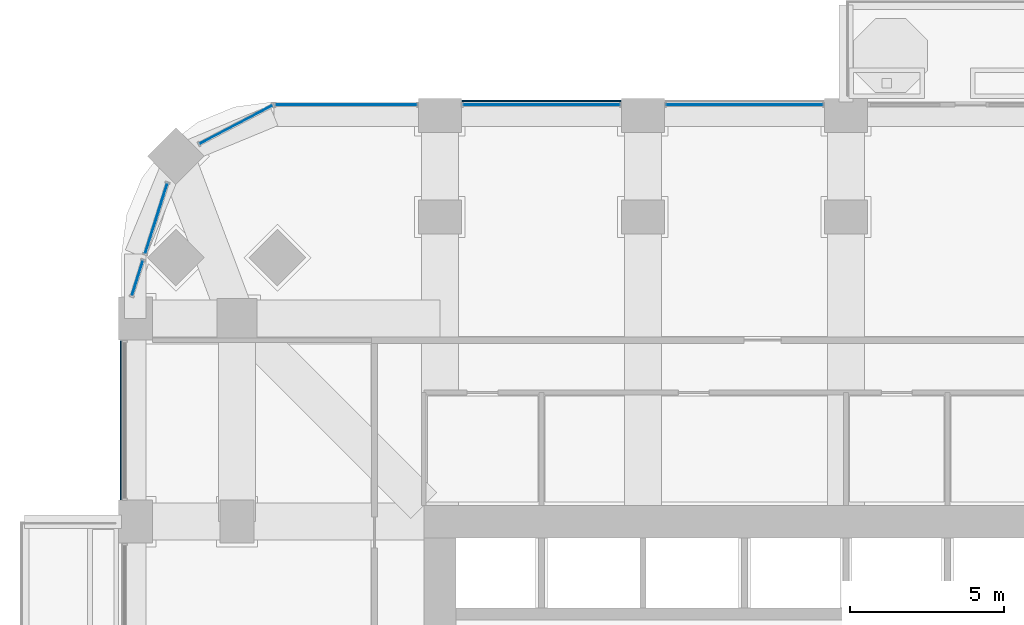
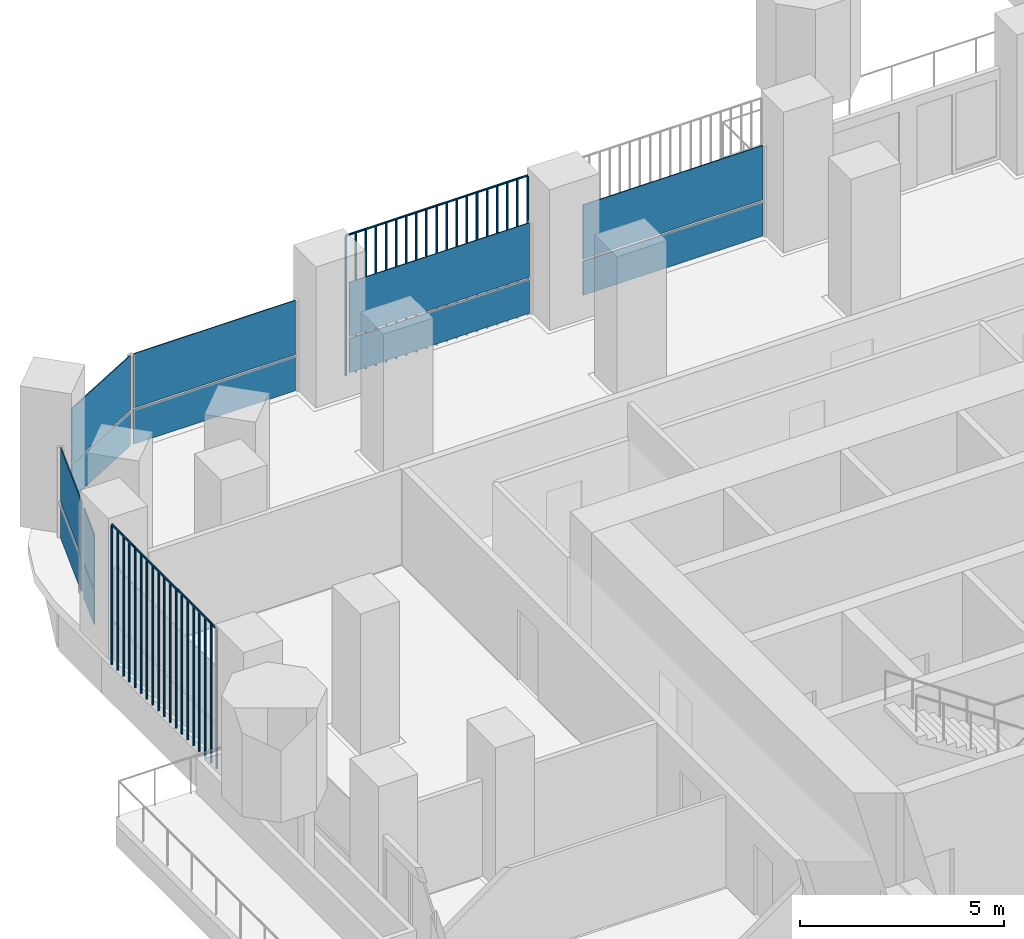
# One storey, part 12 of 22: 14 plates, 6 elements without a shape of their own.
"""IFC4 building model written with IfcOpenShell, lengths in metres."""

from ifc_helpers import new_model, si_unit, direction, frame, origin, origin_2d, place, context, subcontext, project, spatial, polyline, rectangle, outline, extrude, material, layer, layer_set, type_object, element, aggregate, save


model = new_model("IFC4")

# Units and contexts
model_context = context("Model", 3, precision=1e-05, world=origin(), true_north=direction((0.0, 1.0)))
body_context = subcontext(model_context, "Body", "Model", "MODEL_VIEW")
ifc_project = project(units=[si_unit("LENGTHUNIT", "METRE"), si_unit("AREAUNIT", "SQUARE_METRE"), si_unit("VOLUMEUNIT", "CUBIC_METRE"), si_unit("PLANEANGLEUNIT", "RADIAN"), si_unit("MASSUNIT", "GRAM", prefix="KILO")], contexts=[model_context])

# Site, building, storey
site_placement = place(None, origin())
site = spatial("IfcSite", under=ifc_project, at=site_placement, CompositionType="ELEMENT")
building_placement = place(site_placement, origin())
building = spatial("IfcBuilding", under=site, at=building_placement, Name="Cobogo Forest Laboratory Tower", CompositionType="ELEMENT")
storey_placement = place(building_placement, frame((0.0, 0.0, 120.0)))
storey = spatial("IfcBuildingStorey", under=building, at=storey_placement, Name="L27", CompositionType="ELEMENT", Elevation=120.0)

# Curtain wall, plates
ifc_material_1 = material(Name="Aluminium curtain wall", Category="aluminium")
curtain_wall_type = type_object("IfcCurtainWallType", Name="CW-1 unitised curtain wall, clear glazing, laboratory floors zones A and B", PredefinedType="USERDEFINED", material=ifc_material_1)
curtain_wall_1_placement = place(storey_placement, origin())
curtain_wall_1 = element("IfcCurtainWall", 1, at=curtain_wall_1_placement, inside=storey, type_object=curtain_wall_type, Name="Curtain wall 21 L27", ObjectType="UNITISED CURTAIN WALL", PredefinedType="USERDEFINED")
ifc_material_2 = material(Name="Clear insulated glass", Category="glass")
ifc_layer = layer(ifc_material_2, 0.028076171875)
ifc_layer_set = layer_set([ifc_layer], Name="GP-1 clear insulated glass unit 28")
plate_type_1 = type_object("IfcPlateType", Name="GP-1 clear insulated glass unit 28", PredefinedType="CURTAIN_PANEL", material=ifc_layer_set)
plate_1_placement = place(storey_placement, frame((23.10009765625, 46.550048828125, 0.0), z_axis=(0.0, 0.0, 1.0), x_axis=(-1.0, 0.0, 0.0)))
plate_1 = element("IfcPlate", 2, at=plate_1_placement, type_object=plate_type_1, Name="CW-1 panel 1.1", PredefinedType="CURTAIN_PANEL", context=body_context, shape_type="SweptSolid", body=[
    extrude(rectangle(XDim=5.080078125, YDim=0.028076171875, at=origin_2d()), origin(), (0.0, 0.0, 1.0), 1.02001953125),
])
plate_2_placement = place(storey_placement, frame((23.10009765625, 46.550048828125, 1.079833984375), z_axis=(0.0, 0.0, 1.0), x_axis=(-1.0, 0.0, 0.0)))
plate_2 = element("IfcPlate", 3, at=plate_2_placement, type_object=plate_type_1, Name="CW-1 panel 1.2", PredefinedType="CURTAIN_PANEL", context=body_context, shape_type="SweptSolid", body=[
    extrude(rectangle(XDim=5.080078125, YDim=0.028076171875, at=origin_2d()), origin(), (0.0, 0.0, 1.0), 1.6201171875),
])
aggregate(curtain_wall_1, [plate_1, plate_2])

curtain_wall_2_placement = place(storey_placement, origin())
curtain_wall_2 = element("IfcCurtainWall", 4, at=curtain_wall_2_placement, inside=storey, type_object=curtain_wall_type, Name="Curtain wall 22 L27", ObjectType="UNITISED CURTAIN WALL", PredefinedType="USERDEFINED")
plate_3_placement = place(storey_placement, frame((16.5, 46.550048828125, 0.0), z_axis=(0.0, 0.0, 1.0), x_axis=(-1.0, 0.0, 0.0)))
plate_3 = element("IfcPlate", 5, at=plate_3_placement, type_object=plate_type_1, Name="CW-1 panel 1.1", PredefinedType="CURTAIN_PANEL", context=body_context, shape_type="SweptSolid", body=[
    extrude(rectangle(XDim=5.080078125, YDim=0.028076171875, at=origin_2d()), origin(), (0.0, 0.0, 1.0), 1.02001953125),
])
plate_4_placement = place(storey_placement, frame((16.5, 46.550048828125, 1.079833984375), z_axis=(0.0, 0.0, 1.0), x_axis=(-1.0, 0.0, 0.0)))
plate_4 = element("IfcPlate", 6, at=plate_4_placement, type_object=plate_type_1, Name="CW-1 panel 1.2", PredefinedType="CURTAIN_PANEL", context=body_context, shape_type="SweptSolid", body=[
    extrude(rectangle(XDim=5.080078125, YDim=0.028076171875, at=origin_2d()), origin(), (0.0, 0.0, 1.0), 1.6201171875),
])
aggregate(curtain_wall_2, [plate_3, plate_4])

curtain_wall_3_placement = place(storey_placement, origin())
curtain_wall_3 = element("IfcCurtainWall", 7, at=curtain_wall_3_placement, inside=storey, type_object=curtain_wall_type, Name="Curtain wall 23 L27", ObjectType="UNITISED CURTAIN WALL", PredefinedType="USERDEFINED")
plate_5_placement = place(storey_placement, frame((10.14990234375, 46.550048828125, 0.0), z_axis=(0.0, 0.0, 1.0), x_axis=(-1.0, 0.0, 0.0)))
plate_5 = element("IfcPlate", 8, at=plate_5_placement, type_object=plate_type_1, Name="CW-1 panel 1.1", PredefinedType="CURTAIN_PANEL", context=body_context, shape_type="SweptSolid", body=[
    extrude(rectangle(XDim=4.580078125, YDim=0.028076171875, at=origin_2d()), origin(), (0.0, 0.0, 1.0), 1.02001953125),
])
plate_6_placement = place(storey_placement, frame((10.14990234375, 46.550048828125, 1.079833984375), z_axis=(0.0, 0.0, 1.0), x_axis=(-1.0, 0.0, 0.0)))
plate_6 = element("IfcPlate", 9, at=plate_6_placement, type_object=plate_type_1, Name="CW-1 panel 1.2", PredefinedType="CURTAIN_PANEL", context=body_context, shape_type="SweptSolid", body=[
    extrude(rectangle(XDim=4.580078125, YDim=0.028076171875, at=origin_2d()), origin(), (0.0, 0.0, 1.0), 1.6201171875),
])
aggregate(curtain_wall_3, [plate_5, plate_6])

curtain_wall_4_placement = place(storey_placement, origin())
curtain_wall_4 = element("IfcCurtainWall", 10, at=curtain_wall_4_placement, inside=storey, type_object=curtain_wall_type, Name="Curtain wall 24 L27", ObjectType="UNITISED CURTAIN WALL", PredefinedType="USERDEFINED")
plate_7_placement = place(storey_placement, frame((6.57080078125, 45.90576171875, 0.0), z_axis=(0.0, 0.0, 1.0), x_axis=(-0.885686547075, -0.464283685186, 0.0)))
plate_7 = element("IfcPlate", 11, at=plate_7_placement, type_object=plate_type_1, Name="CW-1 panel 1.1", PredefinedType="CURTAIN_PANEL", context=body_context, shape_type="SweptSolid", body=[
    extrude(rectangle(XDim=2.655517578125, YDim=0.028076171875, at=origin_2d()), origin(), (0.0, 0.0, 1.0), 1.02001953125),
])
plate_8_placement = place(storey_placement, frame((6.57080078125, 45.90576171875, 1.079833984375), z_axis=(0.0, 0.0, 1.0), x_axis=(-0.885686547075, -0.464283685186, 0.0)))
plate_8 = element("IfcPlate", 12, at=plate_8_placement, type_object=plate_type_1, Name="CW-1 panel 1.2", PredefinedType="CURTAIN_PANEL", context=body_context, shape_type="SweptSolid", body=[
    extrude(rectangle(XDim=2.655517578125, YDim=0.028076171875, at=origin_2d()), origin(), (0.0, 0.0, 1.0), 1.6201171875),
])
aggregate(curtain_wall_4, [plate_7, plate_8])

curtain_wall_5_placement = place(storey_placement, origin())
curtain_wall_5 = element("IfcCurtainWall", 13, at=curtain_wall_5_placement, inside=storey, type_object=curtain_wall_type, Name="Curtain wall 25 L27", ObjectType="UNITISED CURTAIN WALL", PredefinedType="USERDEFINED")
plate_9_placement = place(storey_placement, frame((3.978759765625, 42.857421875, 0.0), z_axis=(0.0, 0.0, 1.0), x_axis=(-0.301135291996, -0.953581425949, 0.0)))
plate_9 = element("IfcPlate", 14, at=plate_9_placement, type_object=plate_type_1, Name="CW-1 panel 1.1", PredefinedType="CURTAIN_PANEL", context=body_context, shape_type="SweptSolid", body=[
    extrude(rectangle(XDim=2.3681640625, YDim=0.028076171875, at=origin_2d()), origin(), (0.0, 0.0, 1.0), 1.02001953125),
])
plate_10_placement = place(storey_placement, frame((3.978759765625, 42.857421875, 1.079833984375), z_axis=(0.0, 0.0, 1.0), x_axis=(-0.301135291996, -0.953581425949, 0.0)))
plate_10 = element("IfcPlate", 15, at=plate_10_placement, type_object=plate_type_1, Name="CW-1 panel 1.2", PredefinedType="CURTAIN_PANEL", context=body_context, shape_type="SweptSolid", body=[
    extrude(rectangle(XDim=2.3681640625, YDim=0.028076171875, at=origin_2d()), origin(), (0.0, 0.0, 1.0), 1.6201171875),
])
aggregate(curtain_wall_5, [plate_9, plate_10])

curtain_wall_6_placement = place(storey_placement, origin())
curtain_wall_6 = element("IfcCurtainWall", 16, at=curtain_wall_6_placement, inside=storey, type_object=curtain_wall_type, Name="Curtain wall 26 L27", ObjectType="UNITISED CURTAIN WALL", PredefinedType="USERDEFINED")
plate_11_placement = place(storey_placement, frame((3.3662109375, 40.917724609375, 0.0), z_axis=(0.0, 0.0, 1.0), x_axis=(-0.301135356805, -0.953581405483, 0.0)))
plate_11 = element("IfcPlate", 17, at=plate_11_placement, type_object=plate_type_1, Name="CW-1 panel 1.1", PredefinedType="CURTAIN_PANEL", context=body_context, shape_type="SweptSolid", body=[
    extrude(rectangle(XDim=1.17578125, YDim=0.028076171875, at=origin_2d()), origin(), (0.0, 0.0, 1.0), 1.02001953125),
])
plate_12_placement = place(storey_placement, frame((3.3662109375, 40.917724609375, 1.079833984375), z_axis=(0.0, 0.0, 1.0), x_axis=(-0.301135356805, -0.953581405483, 0.0)))
plate_12 = element("IfcPlate", 18, at=plate_12_placement, type_object=plate_type_1, Name="CW-1 panel 1.2", PredefinedType="CURTAIN_PANEL", context=body_context, shape_type="SweptSolid", body=[
    extrude(rectangle(XDim=1.17578125, YDim=0.028076171875, at=origin_2d()), origin(), (0.0, 0.0, 1.0), 1.6201171875),
])
aggregate(curtain_wall_6, [plate_11, plate_12])

# Plates
ifc_material_3 = material(Name="Terracotta", Category="masonry")
plate_type_2 = type_object("IfcPlateType", Name="TB1 terracotta baguette screen", PredefinedType="USERDEFINED", material=ifc_material_3)
plate_13_placement = place(storey_placement, frame((13.93115234375, 46.677978515625, -0.14990234375)))
element("IfcPlate", 19, at=plate_13_placement, inside=storey, type_object=plate_type_2, Name="Baguette screen N1 L27", ObjectType="BAGUETTE SCREEN", PredefinedType="USERDEFINED", context=body_context, shape_type="SweptSolid", body=[
    extrude(outline(polyline([(0.02880859375, 0.011962890625), (0.011962890625, 0.02880859375), (-0.011962890625, 0.02880859375), (-0.02880859375, 0.011962890625), (-0.02880859375, -0.011962890625), (-0.011962890625, -0.02880859375), (0.011962890625, -0.02880859375), (0.02880859375, -0.011962890625), (0.02880859375, 0.011962890625)])), frame((0.0, 0.0, 4.168701171875), z_axis=(1.0, 0.0, 0.0), x_axis=(0.0, 1.0, 0.0)), (0.0, 0.0, 1.0), 5.1376953125),
    extrude(outline(polyline([(0.02880859375, 0.011962890625), (0.011962890625, 0.02880859375), (-0.011962890625, 0.02880859375), (-0.02880859375, 0.011962890625), (-0.02880859375, -0.011962890625), (-0.011962890625, -0.02880859375), (0.011962890625, -0.02880859375), (0.02880859375, -0.011962890625), (0.02880859375, 0.011962890625)])), origin(), (0.0, 0.0, 1.0), 4.137451171875),
    extrude(outline(polyline([(0.02880859375, 0.011962890625), (0.011962890625, 0.02880859375), (-0.011962890625, 0.02880859375), (-0.02880859375, 0.011962890625), (-0.02880859375, -0.011962890625), (-0.011962890625, -0.02880859375), (0.011962890625, -0.02880859375), (0.02880859375, -0.011962890625), (0.02880859375, 0.011962890625)])), frame((0.285400390625, 0.0, 0.0)), (0.0, 0.0, 1.0), 4.137451171875),
    extrude(outline(polyline([(0.02880859375, 0.011962890625), (0.011962890625, 0.02880859375), (-0.011962890625, 0.02880859375), (-0.02880859375, 0.011962890625), (-0.02880859375, -0.011962890625), (-0.011962890625, -0.02880859375), (0.011962890625, -0.02880859375), (0.02880859375, -0.011962890625), (0.02880859375, 0.011962890625)])), frame((0.57080078125, 0.0, 0.0)), (0.0, 0.0, 1.0), 4.137451171875),
    extrude(outline(polyline([(0.02880859375, 0.011962890625), (0.011962890625, 0.02880859375), (-0.011962890625, 0.02880859375), (-0.02880859375, 0.011962890625), (-0.02880859375, -0.011962890625), (-0.011962890625, -0.02880859375), (0.011962890625, -0.02880859375), (0.02880859375, -0.011962890625), (0.02880859375, 0.011962890625)])), frame((0.856201171875, 0.0, 0.0)), (0.0, 0.0, 1.0), 4.137451171875),
    extrude(outline(polyline([(0.02880859375, 0.011962890625), (0.011962890625, 0.02880859375), (-0.011962890625, 0.02880859375), (-0.02880859375, 0.011962890625), (-0.02880859375, -0.011962890625), (-0.011962890625, -0.02880859375), (0.011962890625, -0.02880859375), (0.02880859375, -0.011962890625), (0.02880859375, 0.011962890625)])), frame((1.1416015625, 0.0, 0.0)), (0.0, 0.0, 1.0), 4.137451171875),
    extrude(outline(polyline([(0.02880859375, 0.011962890625), (0.011962890625, 0.02880859375), (-0.011962890625, 0.02880859375), (-0.02880859375, 0.011962890625), (-0.02880859375, -0.011962890625), (-0.011962890625, -0.02880859375), (0.011962890625, -0.02880859375), (0.02880859375, -0.011962890625), (0.02880859375, 0.011962890625)])), frame((1.42724609375, 0.0, 0.0)), (0.0, 0.0, 1.0), 4.137451171875),
    extrude(outline(polyline([(0.02880859375, 0.011962890625), (0.011962890625, 0.02880859375), (-0.011962890625, 0.02880859375), (-0.02880859375, 0.011962890625), (-0.02880859375, -0.011962890625), (-0.011962890625, -0.02880859375), (0.011962890625, -0.02880859375), (0.02880859375, -0.011962890625), (0.02880859375, 0.011962890625)])), frame((1.712646484375, 0.0, 0.0)), (0.0, 0.0, 1.0), 4.137451171875),
    extrude(outline(polyline([(0.02880859375, 0.011962890625), (0.011962890625, 0.02880859375), (-0.011962890625, 0.02880859375), (-0.02880859375, 0.011962890625), (-0.02880859375, -0.011962890625), (-0.011962890625, -0.02880859375), (0.011962890625, -0.02880859375), (0.02880859375, -0.011962890625), (0.02880859375, 0.011962890625)])), frame((1.998046875, 0.0, 0.0)), (0.0, 0.0, 1.0), 4.137451171875),
    extrude(outline(polyline([(0.02880859375, 0.011962890625), (0.011962890625, 0.02880859375), (-0.011962890625, 0.02880859375), (-0.02880859375, 0.011962890625), (-0.02880859375, -0.011962890625), (-0.011962890625, -0.02880859375), (0.011962890625, -0.02880859375), (0.02880859375, -0.011962890625), (0.02880859375, 0.011962890625)])), frame((2.283447265625, 0.0, 0.0)), (0.0, 0.0, 1.0), 4.137451171875),
    extrude(outline(polyline([(0.02880859375, 0.011962890625), (0.011962890625, 0.02880859375), (-0.011962890625, 0.02880859375), (-0.02880859375, 0.011962890625), (-0.02880859375, -0.011962890625), (-0.011962890625, -0.02880859375), (0.011962890625, -0.02880859375), (0.02880859375, -0.011962890625), (0.02880859375, 0.011962890625)])), frame((2.56884765625, 0.0, 0.0)), (0.0, 0.0, 1.0), 4.137451171875),
    extrude(outline(polyline([(0.02880859375, 0.011962890625), (0.011962890625, 0.02880859375), (-0.011962890625, 0.02880859375), (-0.02880859375, 0.011962890625), (-0.02880859375, -0.011962890625), (-0.011962890625, -0.02880859375), (0.011962890625, -0.02880859375), (0.02880859375, -0.011962890625), (0.02880859375, 0.011962890625)])), frame((2.854248046875, 0.0, 0.0)), (0.0, 0.0, 1.0), 4.137451171875),
    extrude(outline(polyline([(0.02880859375, 0.011962890625), (0.011962890625, 0.02880859375), (-0.011962890625, 0.02880859375), (-0.02880859375, 0.011962890625), (-0.02880859375, -0.011962890625), (-0.011962890625, -0.02880859375), (0.011962890625, -0.02880859375), (0.02880859375, -0.011962890625), (0.02880859375, 0.011962890625)])), frame((3.1396484375, 0.0, 0.0)), (0.0, 0.0, 1.0), 4.137451171875),
    extrude(outline(polyline([(0.02880859375, 0.011962890625), (0.011962890625, 0.02880859375), (-0.011962890625, 0.02880859375), (-0.02880859375, 0.011962890625), (-0.02880859375, -0.011962890625), (-0.011962890625, -0.02880859375), (0.011962890625, -0.02880859375), (0.02880859375, -0.011962890625), (0.02880859375, 0.011962890625)])), frame((3.425048828125, 0.0, 0.0)), (0.0, 0.0, 1.0), 4.137451171875),
    extrude(outline(polyline([(0.02880859375, 0.011962890625), (0.011962890625, 0.02880859375), (-0.011962890625, 0.02880859375), (-0.02880859375, 0.011962890625), (-0.02880859375, -0.011962890625), (-0.011962890625, -0.02880859375), (0.011962890625, -0.02880859375), (0.02880859375, -0.011962890625), (0.02880859375, 0.011962890625)])), frame((3.71044921875, 0.0, 0.0)), (0.0, 0.0, 1.0), 4.137451171875),
    extrude(outline(polyline([(0.02880859375, 0.011962890625), (0.011962890625, 0.02880859375), (-0.011962890625, 0.02880859375), (-0.02880859375, 0.011962890625), (-0.02880859375, -0.011962890625), (-0.011962890625, -0.02880859375), (0.011962890625, -0.02880859375), (0.02880859375, -0.011962890625), (0.02880859375, 0.011962890625)])), frame((3.99609375, 0.0, 0.0)), (0.0, 0.0, 1.0), 4.137451171875),
    extrude(outline(polyline([(0.02880859375, 0.011962890625), (0.011962890625, 0.02880859375), (-0.011962890625, 0.02880859375), (-0.02880859375, 0.011962890625), (-0.02880859375, -0.011962890625), (-0.011962890625, -0.02880859375), (0.011962890625, -0.02880859375), (0.02880859375, -0.011962890625), (0.02880859375, 0.011962890625)])), frame((4.281494140625, 0.0, 0.0)), (0.0, 0.0, 1.0), 4.137451171875),
    extrude(outline(polyline([(0.02880859375, 0.011962890625), (0.011962890625, 0.02880859375), (-0.011962890625, 0.02880859375), (-0.02880859375, 0.011962890625), (-0.02880859375, -0.011962890625), (-0.011962890625, -0.02880859375), (0.011962890625, -0.02880859375), (0.02880859375, -0.011962890625), (0.02880859375, 0.011962890625)])), frame((4.56689453125, 0.0, 0.0)), (0.0, 0.0, 1.0), 4.137451171875),
    extrude(outline(polyline([(0.02880859375, 0.011962890625), (0.011962890625, 0.02880859375), (-0.011962890625, 0.02880859375), (-0.02880859375, 0.011962890625), (-0.02880859375, -0.011962890625), (-0.011962890625, -0.02880859375), (0.011962890625, -0.02880859375), (0.02880859375, -0.011962890625), (0.02880859375, 0.011962890625)])), frame((4.852294921875, 0.0, 0.0)), (0.0, 0.0, 1.0), 4.137451171875),
    extrude(outline(polyline([(0.02880859375, 0.011962890625), (0.011962890625, 0.02880859375), (-0.011962890625, 0.02880859375), (-0.02880859375, 0.011962890625), (-0.02880859375, -0.011962890625), (-0.011962890625, -0.02880859375), (0.011962890625, -0.02880859375), (0.02880859375, -0.011962890625), (0.02880859375, 0.011962890625)])), frame((5.1376953125, 0.0, 0.0)), (0.0, 0.0, 1.0), 4.137451171875),
])
plate_14_placement = place(storey_placement, frame((2.822021484375, 33.731201171875, -0.14990234375)))
element("IfcPlate", 20, at=plate_14_placement, inside=storey, type_object=plate_type_2, Name="Baguette screen W5 L27", ObjectType="BAGUETTE SCREEN", PredefinedType="USERDEFINED", context=body_context, shape_type="SweptSolid", body=[
    extrude(outline(polyline([(0.02880859375, 0.011962890625), (0.011962890625, 0.02880859375), (-0.011962890625, 0.02880859375), (-0.02880859375, 0.011962890625), (-0.02880859375, -0.011962890625), (-0.011962890625, -0.02880859375), (0.011962890625, -0.02880859375), (0.02880859375, -0.011962890625), (0.02880859375, 0.011962890625)])), frame((0.0, 0.0, 4.168701171875), z_axis=(0.0, 1.0, 0.0), x_axis=(-1.0, 0.0, 0.0)), (0.0, 0.0, 1.0), 5.137451171875),
    extrude(outline(polyline([(0.02880859375, 0.011962890625), (0.011962890625, 0.02880859375), (-0.011962890625, 0.02880859375), (-0.02880859375, 0.011962890625), (-0.02880859375, -0.011962890625), (-0.011962890625, -0.02880859375), (0.011962890625, -0.02880859375), (0.02880859375, -0.011962890625), (0.02880859375, 0.011962890625)])), origin(), (0.0, 0.0, 1.0), 4.137451171875),
    extrude(outline(polyline([(0.02880859375, 0.011962890625), (0.011962890625, 0.02880859375), (-0.011962890625, 0.02880859375), (-0.02880859375, 0.011962890625), (-0.02880859375, -0.011962890625), (-0.011962890625, -0.02880859375), (0.011962890625, -0.02880859375), (0.02880859375, -0.011962890625), (0.02880859375, 0.011962890625)])), frame((0.0, 0.285400390625, 0.0)), (0.0, 0.0, 1.0), 4.137451171875),
    extrude(outline(polyline([(0.02880859375, 0.011962890625), (0.011962890625, 0.02880859375), (-0.011962890625, 0.02880859375), (-0.02880859375, 0.011962890625), (-0.02880859375, -0.011962890625), (-0.011962890625, -0.02880859375), (0.011962890625, -0.02880859375), (0.02880859375, -0.011962890625), (0.02880859375, 0.011962890625)])), frame((0.0, 0.57080078125, 0.0)), (0.0, 0.0, 1.0), 4.137451171875),
    extrude(outline(polyline([(0.02880859375, 0.011962890625), (0.011962890625, 0.02880859375), (-0.011962890625, 0.02880859375), (-0.02880859375, 0.011962890625), (-0.02880859375, -0.011962890625), (-0.011962890625, -0.02880859375), (0.011962890625, -0.02880859375), (0.02880859375, -0.011962890625), (0.02880859375, 0.011962890625)])), frame((0.0, 0.856201171875, 0.0)), (0.0, 0.0, 1.0), 4.137451171875),
    extrude(outline(polyline([(0.02880859375, 0.011962890625), (0.011962890625, 0.02880859375), (-0.011962890625, 0.02880859375), (-0.02880859375, 0.011962890625), (-0.02880859375, -0.011962890625), (-0.011962890625, -0.02880859375), (0.011962890625, -0.02880859375), (0.02880859375, -0.011962890625), (0.02880859375, 0.011962890625)])), frame((0.0, 1.1416015625, 0.0)), (0.0, 0.0, 1.0), 4.137451171875),
    extrude(outline(polyline([(0.02880859375, 0.011962890625), (0.011962890625, 0.02880859375), (-0.011962890625, 0.02880859375), (-0.02880859375, 0.011962890625), (-0.02880859375, -0.011962890625), (-0.011962890625, -0.02880859375), (0.011962890625, -0.02880859375), (0.02880859375, -0.011962890625), (0.02880859375, 0.011962890625)])), frame((0.0, 1.427001953125, 0.0)), (0.0, 0.0, 1.0), 4.137451171875),
    extrude(outline(polyline([(0.02880859375, 0.011962890625), (0.011962890625, 0.02880859375), (-0.011962890625, 0.02880859375), (-0.02880859375, 0.011962890625), (-0.02880859375, -0.011962890625), (-0.011962890625, -0.02880859375), (0.011962890625, -0.02880859375), (0.02880859375, -0.011962890625), (0.02880859375, 0.011962890625)])), frame((0.0, 1.71240234375, 0.0)), (0.0, 0.0, 1.0), 4.137451171875),
    extrude(outline(polyline([(0.02880859375, 0.011962890625), (0.011962890625, 0.02880859375), (-0.011962890625, 0.02880859375), (-0.02880859375, 0.011962890625), (-0.02880859375, -0.011962890625), (-0.011962890625, -0.02880859375), (0.011962890625, -0.02880859375), (0.02880859375, -0.011962890625), (0.02880859375, 0.011962890625)])), frame((0.0, 1.997802734375, 0.0)), (0.0, 0.0, 1.0), 4.137451171875),
    extrude(outline(polyline([(0.02880859375, 0.011962890625), (0.011962890625, 0.02880859375), (-0.011962890625, 0.02880859375), (-0.02880859375, 0.011962890625), (-0.02880859375, -0.011962890625), (-0.011962890625, -0.02880859375), (0.011962890625, -0.02880859375), (0.02880859375, -0.011962890625), (0.02880859375, 0.011962890625)])), frame((0.0, 2.283203125, 0.0)), (0.0, 0.0, 1.0), 4.137451171875),
    extrude(outline(polyline([(0.02880859375, 0.011962890625), (0.011962890625, 0.02880859375), (-0.011962890625, 0.02880859375), (-0.02880859375, 0.011962890625), (-0.02880859375, -0.011962890625), (-0.011962890625, -0.02880859375), (0.011962890625, -0.02880859375), (0.02880859375, -0.011962890625), (0.02880859375, 0.011962890625)])), frame((0.0, 2.56884765625, 0.0)), (0.0, 0.0, 1.0), 4.137451171875),
    extrude(outline(polyline([(0.02880859375, 0.011962890625), (0.011962890625, 0.02880859375), (-0.011962890625, 0.02880859375), (-0.02880859375, 0.011962890625), (-0.02880859375, -0.011962890625), (-0.011962890625, -0.02880859375), (0.011962890625, -0.02880859375), (0.02880859375, -0.011962890625), (0.02880859375, 0.011962890625)])), frame((0.0, 2.854248046875, 0.0)), (0.0, 0.0, 1.0), 4.137451171875),
    extrude(outline(polyline([(0.02880859375, 0.011962890625), (0.011962890625, 0.02880859375), (-0.011962890625, 0.02880859375), (-0.02880859375, 0.011962890625), (-0.02880859375, -0.011962890625), (-0.011962890625, -0.02880859375), (0.011962890625, -0.02880859375), (0.02880859375, -0.011962890625), (0.02880859375, 0.011962890625)])), frame((0.0, 3.1396484375, 0.0)), (0.0, 0.0, 1.0), 4.137451171875),
    extrude(outline(polyline([(0.02880859375, 0.011962890625), (0.011962890625, 0.02880859375), (-0.011962890625, 0.02880859375), (-0.02880859375, 0.011962890625), (-0.02880859375, -0.011962890625), (-0.011962890625, -0.02880859375), (0.011962890625, -0.02880859375), (0.02880859375, -0.011962890625), (0.02880859375, 0.011962890625)])), frame((0.0, 3.425048828125, 0.0)), (0.0, 0.0, 1.0), 4.137451171875),
    extrude(outline(polyline([(0.02880859375, 0.011962890625), (0.011962890625, 0.02880859375), (-0.011962890625, 0.02880859375), (-0.02880859375, 0.011962890625), (-0.02880859375, -0.011962890625), (-0.011962890625, -0.02880859375), (0.011962890625, -0.02880859375), (0.02880859375, -0.011962890625), (0.02880859375, 0.011962890625)])), frame((0.0, 3.71044921875, 0.0)), (0.0, 0.0, 1.0), 4.137451171875),
    extrude(outline(polyline([(0.02880859375, 0.011962890625), (0.011962890625, 0.02880859375), (-0.011962890625, 0.02880859375), (-0.02880859375, 0.011962890625), (-0.02880859375, -0.011962890625), (-0.011962890625, -0.02880859375), (0.011962890625, -0.02880859375), (0.02880859375, -0.011962890625), (0.02880859375, 0.011962890625)])), frame((0.0, 3.995849609375, 0.0)), (0.0, 0.0, 1.0), 4.137451171875),
    extrude(outline(polyline([(0.02880859375, 0.011962890625), (0.011962890625, 0.02880859375), (-0.011962890625, 0.02880859375), (-0.02880859375, 0.011962890625), (-0.02880859375, -0.011962890625), (-0.011962890625, -0.02880859375), (0.011962890625, -0.02880859375), (0.02880859375, -0.011962890625), (0.02880859375, 0.011962890625)])), frame((0.0, 4.28125, 0.0)), (0.0, 0.0, 1.0), 4.137451171875),
    extrude(outline(polyline([(0.02880859375, 0.011962890625), (0.011962890625, 0.02880859375), (-0.011962890625, 0.02880859375), (-0.02880859375, 0.011962890625), (-0.02880859375, -0.011962890625), (-0.011962890625, -0.02880859375), (0.011962890625, -0.02880859375), (0.02880859375, -0.011962890625), (0.02880859375, 0.011962890625)])), frame((0.0, 4.566650390625, 0.0)), (0.0, 0.0, 1.0), 4.137451171875),
    extrude(outline(polyline([(0.02880859375, 0.011962890625), (0.011962890625, 0.02880859375), (-0.011962890625, 0.02880859375), (-0.02880859375, 0.011962890625), (-0.02880859375, -0.011962890625), (-0.011962890625, -0.02880859375), (0.011962890625, -0.02880859375), (0.02880859375, -0.011962890625), (0.02880859375, 0.011962890625)])), frame((0.0, 4.85205078125, 0.0)), (0.0, 0.0, 1.0), 4.137451171875),
    extrude(outline(polyline([(0.02880859375, 0.011962890625), (0.011962890625, 0.02880859375), (-0.011962890625, 0.02880859375), (-0.02880859375, 0.011962890625), (-0.02880859375, -0.011962890625), (-0.011962890625, -0.02880859375), (0.011962890625, -0.02880859375), (0.02880859375, -0.011962890625), (0.02880859375, 0.011962890625)])), frame((0.0, 5.137451171875, 0.0)), (0.0, 0.0, 1.0), 4.137451171875),
])

save(model, "model.ifc")
